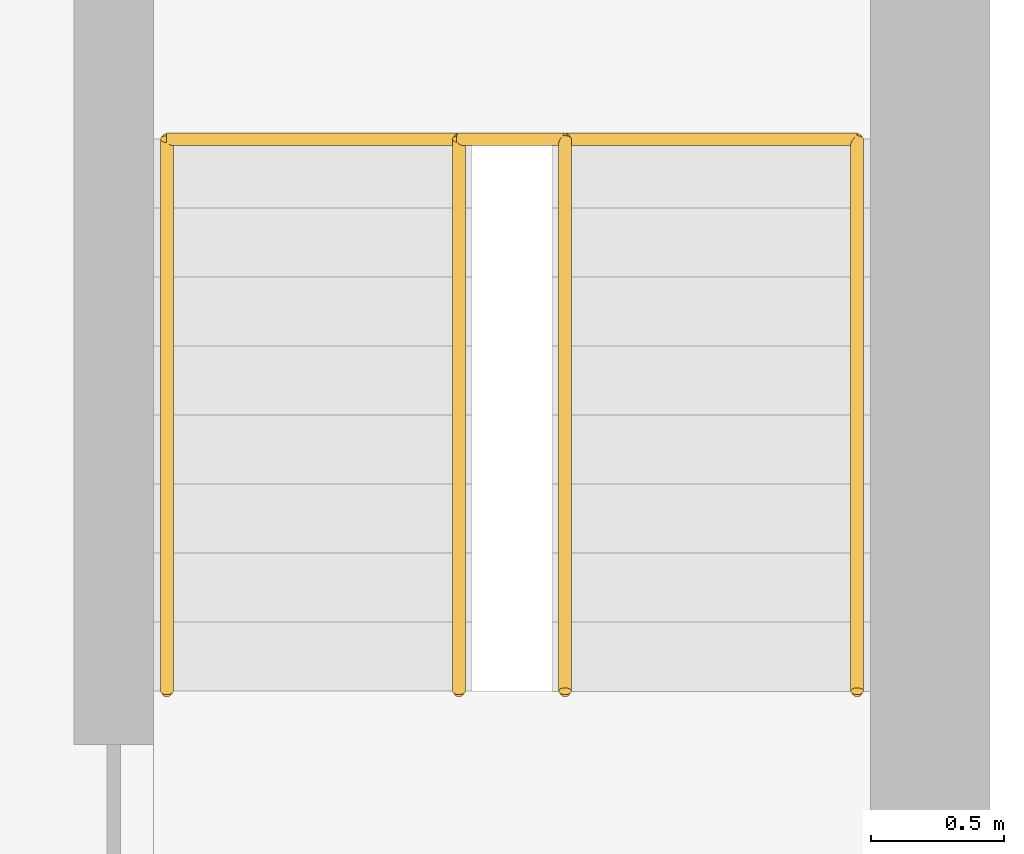
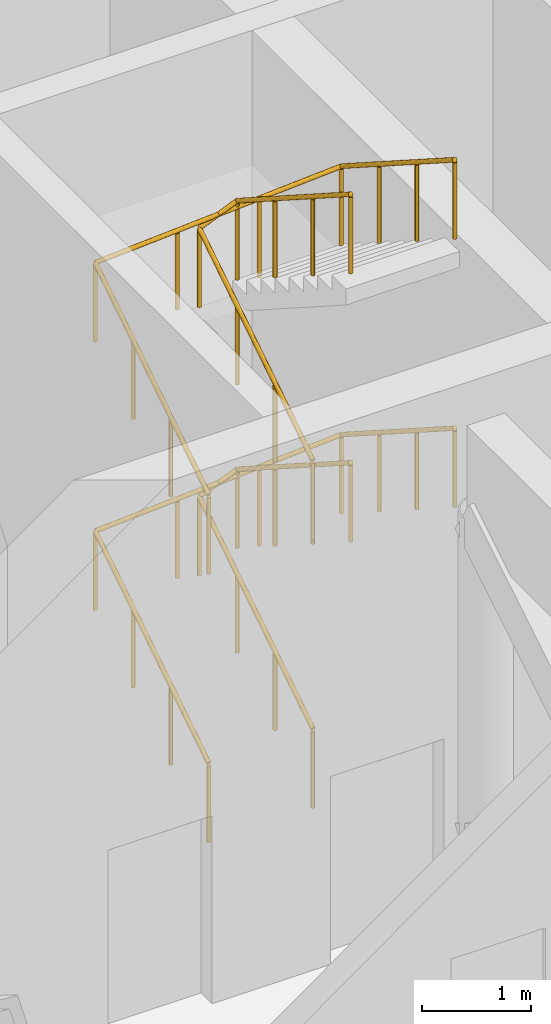
# One storey, part 19 of 20: 4 railings.
"""IFC4 building model written with IfcOpenShell, lengths in metres."""

from ifc_helpers import new_model, si_unit, direction, frame, origin, origin_2d, place, context, subcontext, project, spatial, circle, extrude, material, type_object, element, save


model = new_model("IFC4")

# Units and contexts
model_context = context("Model", 3, precision=1e-05, world=origin(), true_north=direction((0.0, 1.0)))
body_context = subcontext(model_context, "Body", "Model", "MODEL_VIEW")
ifc_project = project(units=[si_unit("LENGTHUNIT", "METRE"), si_unit("AREAUNIT", "SQUARE_METRE"), si_unit("VOLUMEUNIT", "CUBIC_METRE"), si_unit("PLANEANGLEUNIT", "RADIAN"), si_unit("MASSUNIT", "GRAM", prefix="KILO")], contexts=[model_context])

# Site, building, storey
site_placement = place(None, origin())
site = spatial("IfcSite", under=ifc_project, at=site_placement, CompositionType="ELEMENT")
building_placement = place(site_placement, origin())
building = spatial("IfcBuilding", under=site, at=building_placement, Name="Torana Hotel and Residences", CompositionType="ELEMENT")
storey_placement = place(building_placement, frame((0.0, 0.0, 18.0)))
storey = spatial("IfcBuildingStorey", under=building, at=storey_placement, Name="L03", CompositionType="ELEMENT", Elevation=18.0)

# Railings
ifc_material = material(Name="Stainless steel 316", Category="steel")
railing_type = type_object("IfcRailingType", Name="STAIR HANDRAIL HR1 900", PredefinedType="HANDRAIL", material=ifc_material)
railing_1_placement = place(storey_placement, frame((16.39990234375, -12.949951171875, 0.166748046875)))
element("IfcRailing", 1, at=railing_1_placement, inside=storey, type_object=railing_type, Name="Handrail ST4 L03 O1", PredefinedType="HANDRAIL", context=body_context, shape_type="SweptSolid", body=[
    extrude(circle(Radius=0.02392578125, at=origin_2d()), frame((0.0, 0.0, 0.8759765625), z_axis=(0.0, 0.84187453394, 0.539673298491), x_axis=(-1.0, 0.0, 0.0)), (0.0, 0.0, 1.0), 2.470458984375),
    extrude(circle(Radius=0.02392578125, at=origin_2d()), frame((0.0, 2.079833984375, 2.208984375), z_axis=(0.997949899857, 0.0, 0.063999979493), x_axis=(0.0, 1.0, 0.0)), (0.0, 0.0, 1.0), 2.60546875),
    extrude(circle(Radius=0.02392578125, at=origin_2d()), frame((2.60009765625, 2.079833984375, 2.3759765625), z_axis=(0.0, -0.84187453394, 0.539673298491), x_axis=(1.0, 0.0, 0.0)), (0.0, 0.0, 1.0), 2.470458984375),
    extrude(circle(Radius=0.02099609375, at=origin_2d()), origin(), (0.0, 0.0, 1.0), 0.851806640625),
    extrude(circle(Radius=0.02099609375, at=origin_2d()), frame((0.0, 0.693359375, 0.4443359375)), (0.0, 0.0, 1.0), 0.851806640625),
    extrude(circle(Radius=0.02099609375, at=origin_2d()), frame((0.0, 1.386474609375, 0.888916015625)), (0.0, 0.0, 1.0), 0.851806640625),
    extrude(circle(Radius=0.02099609375, at=origin_2d()), frame((0.0, 2.079833984375, 1.333251953125)), (0.0, 0.0, 1.0), 0.851806640625),
    extrude(circle(Radius=0.02099609375, at=origin_2d()), frame((0.86669921875, 2.079833984375, 1.388916015625)), (0.0, 0.0, 1.0), 0.851806640625),
    extrude(circle(Radius=0.02099609375, at=origin_2d()), frame((1.7333984375, 2.079833984375, 1.4443359375)), (0.0, 0.0, 1.0), 0.851806640625),
    extrude(circle(Radius=0.02099609375, at=origin_2d()), frame((2.60009765625, 2.079833984375, 1.5)), (0.0, 0.0, 1.0), 0.851806640625),
    extrude(circle(Radius=0.02099609375, at=origin_2d()), frame((2.60009765625, 1.386474609375, 1.9443359375)), (0.0, 0.0, 1.0), 0.851806640625),
    extrude(circle(Radius=0.02099609375, at=origin_2d()), frame((2.60009765625, 0.693359375, 2.388916015625)), (0.0, 0.0, 1.0), 0.851806640625),
    extrude(circle(Radius=0.02099609375, at=origin_2d()), frame((2.60009765625, 0.0, 2.833251953125)), (0.0, 0.0, 1.0), 0.851806640625),
])
railing_2_placement = place(storey_placement, frame((17.5, -12.949951171875, 0.166748046875)))
element("IfcRailing", 2, at=railing_2_placement, inside=storey, type_object=railing_type, Name="Handrail ST4 L03 I1", PredefinedType="HANDRAIL", context=body_context, shape_type="SweptSolid", body=[
    extrude(circle(Radius=0.02392578125, at=origin_2d()), frame((0.0, 0.0, 0.8759765625), z_axis=(0.0, 0.84187453394, 0.539673298491), x_axis=(-1.0, 0.0, 0.0)), (0.0, 0.0, 1.0), 2.470458984375),
    extrude(circle(Radius=0.02392578125, at=origin_2d()), frame((0.0, 2.079833984375, 2.208984375), z_axis=(0.922976866191, 0.0, 0.384855433216), x_axis=(0.0, 1.0, 0.0)), (0.0, 0.0, 1.0), 0.433349609375),
    extrude(circle(Radius=0.02392578125, at=origin_2d()), frame((0.39990234375, 2.079833984375, 2.3759765625), z_axis=(0.0, -0.84187453394, 0.539673298491), x_axis=(1.0, 0.0, 0.0)), (0.0, 0.0, 1.0), 2.470458984375),
    extrude(circle(Radius=0.02099609375, at=origin_2d()), origin(), (0.0, 0.0, 1.0), 0.851806640625),
    extrude(circle(Radius=0.02099609375, at=origin_2d()), frame((0.0, 0.693359375, 0.4443359375)), (0.0, 0.0, 1.0), 0.851806640625),
    extrude(circle(Radius=0.02099609375, at=origin_2d()), frame((0.0, 1.386474609375, 0.888916015625)), (0.0, 0.0, 1.0), 0.851806640625),
    extrude(circle(Radius=0.02099609375, at=origin_2d()), frame((0.0, 2.079833984375, 1.333251953125)), (0.0, 0.0, 1.0), 0.851806640625),
    extrude(circle(Radius=0.02099609375, at=origin_2d()), frame((0.39990234375, 2.079833984375, 1.5)), (0.0, 0.0, 1.0), 0.851806640625),
    extrude(circle(Radius=0.02099609375, at=origin_2d()), frame((0.39990234375, 1.386474609375, 1.9443359375)), (0.0, 0.0, 1.0), 0.851806640625),
    extrude(circle(Radius=0.02099609375, at=origin_2d()), frame((0.39990234375, 0.693359375, 2.388916015625)), (0.0, 0.0, 1.0), 0.851806640625),
    extrude(circle(Radius=0.02099609375, at=origin_2d()), frame((0.39990234375, 0.0, 2.833251953125)), (0.0, 0.0, 1.0), 0.851806640625),
])
railing_3_placement = place(storey_placement, frame((16.39990234375, -12.949951171875, 3.166748046875)))
element("IfcRailing", 3, at=railing_3_placement, inside=storey, type_object=railing_type, Name="Handrail ST4 L03 O2", PredefinedType="HANDRAIL", context=body_context, shape_type="SweptSolid", body=[
    extrude(circle(Radius=0.02392578125, at=origin_2d()), frame((0.0, 0.0, 0.8759765625), z_axis=(0.0, 0.84187453394, 0.539673298491), x_axis=(-1.0, 0.0, 0.0)), (0.0, 0.0, 1.0), 2.470458984375),
    extrude(circle(Radius=0.02392578125, at=origin_2d()), frame((0.0, 2.079833984375, 2.208984375), z_axis=(0.997949899857, 0.0, 0.063999979493), x_axis=(0.0, 1.0, 0.0)), (0.0, 0.0, 1.0), 2.60546875),
    extrude(circle(Radius=0.02392578125, at=origin_2d()), frame((2.60009765625, 2.079833984375, 2.3759765625), z_axis=(0.0, -0.84187453394, 0.539673298491), x_axis=(1.0, 0.0, 0.0)), (0.0, 0.0, 1.0), 2.470458984375),
    extrude(circle(Radius=0.02099609375, at=origin_2d()), origin(), (0.0, 0.0, 1.0), 0.851806640625),
    extrude(circle(Radius=0.02099609375, at=origin_2d()), frame((0.0, 0.693359375, 0.4443359375)), (0.0, 0.0, 1.0), 0.851806640625),
    extrude(circle(Radius=0.02099609375, at=origin_2d()), frame((0.0, 1.386474609375, 0.888916015625)), (0.0, 0.0, 1.0), 0.851806640625),
    extrude(circle(Radius=0.02099609375, at=origin_2d()), frame((0.0, 2.079833984375, 1.333251953125)), (0.0, 0.0, 1.0), 0.851806640625),
    extrude(circle(Radius=0.02099609375, at=origin_2d()), frame((0.86669921875, 2.079833984375, 1.388916015625)), (0.0, 0.0, 1.0), 0.851806640625),
    extrude(circle(Radius=0.02099609375, at=origin_2d()), frame((1.7333984375, 2.079833984375, 1.4443359375)), (0.0, 0.0, 1.0), 0.851806640625),
    extrude(circle(Radius=0.02099609375, at=origin_2d()), frame((2.60009765625, 2.079833984375, 1.5)), (0.0, 0.0, 1.0), 0.851806640625),
    extrude(circle(Radius=0.02099609375, at=origin_2d()), frame((2.60009765625, 1.386474609375, 1.9443359375)), (0.0, 0.0, 1.0), 0.851806640625),
    extrude(circle(Radius=0.02099609375, at=origin_2d()), frame((2.60009765625, 0.693359375, 2.388916015625)), (0.0, 0.0, 1.0), 0.851806640625),
    extrude(circle(Radius=0.02099609375, at=origin_2d()), frame((2.60009765625, 0.0, 2.833251953125)), (0.0, 0.0, 1.0), 0.851806640625),
])
railing_4_placement = place(storey_placement, frame((17.5, -12.949951171875, 3.166748046875)))
element("IfcRailing", 4, at=railing_4_placement, inside=storey, type_object=railing_type, Name="Handrail ST4 L03 I2", PredefinedType="HANDRAIL", context=body_context, shape_type="SweptSolid", body=[
    extrude(circle(Radius=0.02392578125, at=origin_2d()), frame((0.0, 0.0, 0.8759765625), z_axis=(0.0, 0.84187453394, 0.539673298491), x_axis=(-1.0, 0.0, 0.0)), (0.0, 0.0, 1.0), 2.470458984375),
    extrude(circle(Radius=0.02392578125, at=origin_2d()), frame((0.0, 2.079833984375, 2.208984375), z_axis=(0.922976866191, 0.0, 0.384855433216), x_axis=(0.0, 1.0, 0.0)), (0.0, 0.0, 1.0), 0.433349609375),
    extrude(circle(Radius=0.02392578125, at=origin_2d()), frame((0.39990234375, 2.079833984375, 2.3759765625), z_axis=(0.0, -0.84187453394, 0.539673298491), x_axis=(1.0, 0.0, 0.0)), (0.0, 0.0, 1.0), 2.470458984375),
    extrude(circle(Radius=0.02099609375, at=origin_2d()), origin(), (0.0, 0.0, 1.0), 0.851806640625),
    extrude(circle(Radius=0.02099609375, at=origin_2d()), frame((0.0, 0.693359375, 0.4443359375)), (0.0, 0.0, 1.0), 0.851806640625),
    extrude(circle(Radius=0.02099609375, at=origin_2d()), frame((0.0, 1.386474609375, 0.888916015625)), (0.0, 0.0, 1.0), 0.851806640625),
    extrude(circle(Radius=0.02099609375, at=origin_2d()), frame((0.0, 2.079833984375, 1.333251953125)), (0.0, 0.0, 1.0), 0.851806640625),
    extrude(circle(Radius=0.02099609375, at=origin_2d()), frame((0.39990234375, 2.079833984375, 1.5)), (0.0, 0.0, 1.0), 0.851806640625),
    extrude(circle(Radius=0.02099609375, at=origin_2d()), frame((0.39990234375, 1.386474609375, 1.9443359375)), (0.0, 0.0, 1.0), 0.851806640625),
    extrude(circle(Radius=0.02099609375, at=origin_2d()), frame((0.39990234375, 0.693359375, 2.388916015625)), (0.0, 0.0, 1.0), 0.851806640625),
    extrude(circle(Radius=0.02099609375, at=origin_2d()), frame((0.39990234375, 0.0, 2.833251953125)), (0.0, 0.0, 1.0), 0.851806640625),
])

save(model, "model.ifc")
